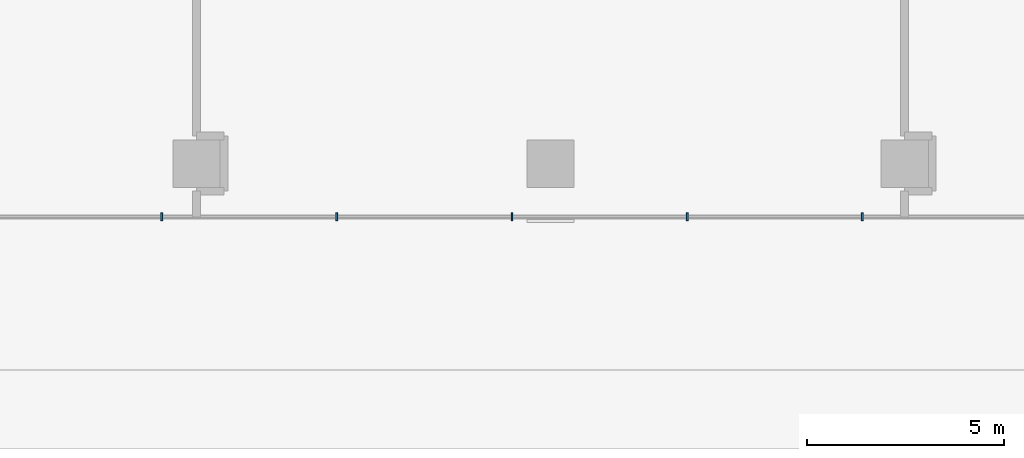
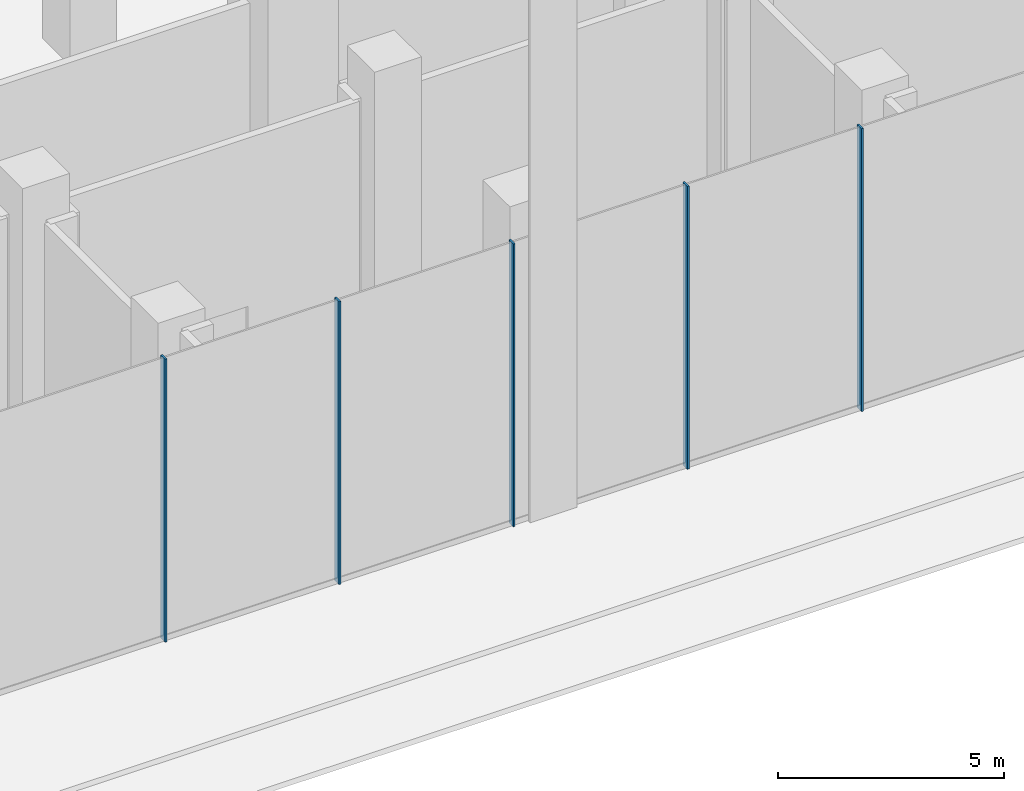
# One storey, part 4 of 42: 5 members, 1 element without a shape of its own.
"""IFC4 building model written with IfcOpenShell, lengths in metres."""

import ifcopenshell
import ifcopenshell.guid

model = None  # the IFC model being written
_history = None  # IfcOwnerHistory: only IFC2X3 demands one
_inside = {}  # id of a spatial element -> (the spatial element, [elements in it])
_under = {}  # id of a project, library or spatial element -> (it, [spatial elements below it])
_declared = {}  # id of a project -> (the project, [libraries it declares])
_typed = {}  # id of a type object -> (the type object, [elements of that type])
_made_of = {}  # id of a material, layer set ... -> (it, [elements and type objects made of it])


def new_model(schema):
    """Start an empty IFC model of exactly this schema.

    Asked for "IFC4X3", IfcOpenShell would pick the latest addendum, in which some entities
    have other attributes; the version numbers below select the first issue.
    IFC2X3 requires an IfcOwnerHistory on every rooted entity: one is made here for all.
    """
    global model, _history
    if schema == "IFC4X3":
        model = ifcopenshell.file(schema_version=(4, 3, 0, 0))
    else:
        model = ifcopenshell.file(schema=schema)
    _inside.clear()
    _under.clear()
    _declared.clear()
    _typed.clear()
    _made_of.clear()
    _history = None
    if model.schema == "IFC2X3":
        org = make("IfcOrganization", Name="unknown")
        user = make(
            "IfcPersonAndOrganization",
            ThePerson=make("IfcPerson", FamilyName="unknown"),
            TheOrganization=org,
        )
        app = make(
            "IfcApplication",
            ApplicationDeveloper=org,
            Version="unknown",
            ApplicationFullName="unknown",
            ApplicationIdentifier="unknown",
        )
        _history = make(
            "IfcOwnerHistory",
            OwningUser=user,
            OwningApplication=app,
            ChangeAction="ADDED",
            CreationDate=0,
        )
    return model


def make(cls, **values):
    """One entity of the class cls with the attributes given. An attribute that is None is left unset."""
    return model.create_entity(
        cls, **{name: value for name, value in values.items() if value is not None}
    )


def rooted(cls, **values):
    """An entity with a GlobalId (a new one), such as an element, a storey or a relation."""
    return make(cls, GlobalId=ifcopenshell.guid.new(), OwnerHistory=_history, **values)


def si_unit(unit_type, name, prefix=None):
    """IfcSIUnit, for example si_unit("LENGTHUNIT", "METRE", prefix="MILLI")."""
    return make("IfcSIUnit", UnitType=unit_type, Prefix=prefix, Name=name)


def assignment(units):
    """IfcUnitAssignment: the units of a project."""
    return None if units is None else make("IfcUnitAssignment", Units=units)


def point(xyz):
    """IfcCartesianPoint."""
    return None if xyz is None else make("IfcCartesianPoint", Coordinates=xyz)


def direction(xyz):
    """IfcDirection."""
    return None if xyz is None else make("IfcDirection", DirectionRatios=xyz)


def frame(location, z_axis=None, x_axis=None):
    """IfcAxis2Placement3D, a coordinate frame: its origin and axes. An axis left out is left unset."""
    return make(
        "IfcAxis2Placement3D",
        Location=point(location),
        Axis=direction(z_axis),
        RefDirection=direction(x_axis),
    )


def frame_2d(location, x_axis=None):
    """IfcAxis2Placement2D, a coordinate frame in the plane: its origin and x axis."""
    return make(
        "IfcAxis2Placement2D", Location=point(location), RefDirection=direction(x_axis)
    )


def origin():
    """The frame at (0, 0, 0) with its axes left unset."""
    return frame((0.0, 0.0, 0.0))


def origin_2d():
    """The frame at (0, 0) in the plane with its x axis left unset."""
    return frame_2d((0.0, 0.0))


def place(relative_to, where):
    """IfcLocalPlacement: puts the frame where relative to a parent placement (None: the world)."""
    return make(
        "IfcLocalPlacement", PlacementRelTo=relative_to, RelativePlacement=where
    )


def context(
    kind, dimensions, precision=None, world=None, true_north=None, identifier=None
):
    """IfcGeometricRepresentationContext, for example the 3D "Model" context."""
    return make(
        "IfcGeometricRepresentationContext",
        ContextIdentifier=identifier,
        ContextType=kind,
        CoordinateSpaceDimension=dimensions,
        Precision=precision,
        WorldCoordinateSystem=world,
        TrueNorth=true_north,
    )


def subcontext(parent, identifier, kind, view, scale=None):
    """IfcGeometricRepresentationSubContext, for example "Body" below "Model"."""
    return make(
        "IfcGeometricRepresentationSubContext",
        ContextIdentifier=identifier,
        ContextType=kind,
        ParentContext=parent,
        TargetScale=scale,
        TargetView=view,
    )


def project(units=None, contexts=None):
    """IfcProject with its units and contexts."""
    return rooted(
        "IfcProject",
        Name="project",
        RepresentationContexts=contexts,
        UnitsInContext=assignment(units),
    )


def spatial(cls, under=None, at=None, **own):
    """A site, building, storey or space (cls), placed at a placement, below another one or the project."""
    s = rooted(cls, ObjectPlacement=at, **own)
    if under is not None:
        _under.setdefault(under.id(), (under, []))[1].append(s)
    return s


def profile(cls, at=None, kind="AREA", **sizes):
    """A parametric profile (cls). Its sizes go by their IFC names, for example OverallWidth=200.0."""
    return make(cls, ProfileType=kind, Position=at, **sizes)


def rectangle(**sizes):
    """IfcRectangleProfileDef."""
    return profile("IfcRectangleProfileDef", **sizes)


def extrude(swept, where, along, depth):
    """IfcExtrudedAreaSolid: the profile swept, set in the frame where, extruded along a direction by depth."""
    return make(
        "IfcExtrudedAreaSolid",
        SweptArea=swept,
        Position=where,
        ExtrudedDirection=direction(along),
        Depth=depth,
    )


def shape(context_of_items, identifier, shape_type, items):
    """IfcShapeRepresentation: the items that make up one representation, for example the "Body"."""
    return make(
        "IfcShapeRepresentation",
        ContextOfItems=context_of_items,
        RepresentationIdentifier=identifier,
        RepresentationType=shape_type,
        Items=items,
    )


def material(Name=None, Category=None):
    """IfcMaterial."""
    return make("IfcMaterial", Name=Name, Category=Category)


def layer(
    of_material, thickness, ventilated=None, Name=None, Category=None, Priority=None
):
    """IfcMaterialLayer: one layer of a wall or slab, of a material (None: an air gap)."""
    return make(
        "IfcMaterialLayer",
        Material=of_material,
        LayerThickness=thickness,
        IsVentilated=ventilated,
        Name=Name,
        Category=Category,
        Priority=Priority,
    )


def layer_set(layers, Name=None):
    """IfcMaterialLayerSet."""
    return make("IfcMaterialLayerSet", MaterialLayers=layers, LayerSetName=Name)


def material_profile(
    of_material, cross_section, Name=None, Category=None, Priority=None
):
    """IfcMaterialProfile: a cross section and its material."""
    return make(
        "IfcMaterialProfile",
        Name=Name,
        Material=of_material,
        Profile=cross_section,
        Priority=Priority,
        Category=Category,
    )


def profile_set(profiles, Name=None, composite=None):
    """IfcMaterialProfileSet."""
    return make(
        "IfcMaterialProfileSet",
        Name=Name,
        MaterialProfiles=profiles,
        CompositeProfile=composite,
    )


def made_of(thing, what):
    """Note that an element or type object is made of a material, layer set ...; save() writes the relation."""
    if what is not None:
        _made_of.setdefault(what.id(), (what, []))[1].append(thing)
    return thing


def type_object(cls, material=None, **own):
    """A type object (cls), such as IfcWallType, which elements share."""
    return made_of(rooted(cls, **own), material)


def element(
    cls,
    number,
    at=None,
    inside=None,
    cuts=None,
    type_object=None,
    material=None,
    context=None,
    identifier="Body",
    shape_type=None,
    held_by="IfcProductDefinitionShape",
    body=None,
    shapes=None,
    **own,
):
    """One element of the class cls, such as IfcWall. Its Tag is "e" and its number.

    at: its placement. inside: the storey or other place that contains it. cuts: it is an
    opening in that element (IfcRelVoidsElement). A single representation is given by context,
    identifier, shape_type and body (its items); several are given by shapes. held_by: the class
    of the entity that holds the representations. save() writes the other relations.
    """
    e = rooted(cls, Tag="e%d" % number, ObjectPlacement=at, **own)
    if body is not None:
        shapes = [shape(context, identifier, shape_type, body)]
    if shapes is not None:
        e.Representation = make(held_by, Representations=shapes)
    if inside is not None:
        _inside.setdefault(inside.id(), (inside, []))[1].append(e)
    if cuts is not None:
        rooted(
            "IfcRelVoidsElement", RelatingBuildingElement=cuts, RelatedOpeningElement=e
        )
    if type_object is not None:
        _typed.setdefault(type_object.id(), (type_object, []))[1].append(e)
    return made_of(e, material)


def aggregate(whole, parts):
    """IfcRelAggregates: a whole, such as a stair, and the parts it consists of."""
    return rooted("IfcRelAggregates", RelatingObject=whole, RelatedObjects=parts)


def save(model, path):
    """Write the relations noted so far, then the file.

    IfcRelAggregates (storeys below a building ...), IfcRelContainedInSpatialStructure (elements
    in a storey), IfcRelDefinesByType, IfcRelAssociatesMaterial and IfcRelDeclares: one each for
    every whole, place, type object, material and project.
    """
    for whole, parts in _under.values():
        aggregate(whole, parts)
    for where, things in _inside.values():
        rooted(
            "IfcRelContainedInSpatialStructure",
            RelatedElements=things,
            RelatingStructure=where,
        )
    for kind, things in _typed.values():
        rooted("IfcRelDefinesByType", RelatedObjects=things, RelatingType=kind)
    for what, things in _made_of.values():
        rooted("IfcRelAssociatesMaterial", RelatedObjects=things, RelatingMaterial=what)
    for by, libraries in _declared.values():
        rooted("IfcRelDeclares", RelatingContext=by, RelatedDefinitions=libraries)
    model.write(path)


model = new_model("IFC4")

# Units and contexts
model_context = context("Model", 3, precision=1e-05, world=origin(), true_north=direction((0.0, 1.0)))
body_context = subcontext(model_context, "Body", "Model", "MODEL_VIEW")
ifc_project = project(units=[si_unit("LENGTHUNIT", "METRE"), si_unit("AREAUNIT", "SQUARE_METRE"), si_unit("VOLUMEUNIT", "CUBIC_METRE"), si_unit("PLANEANGLEUNIT", "RADIAN"), si_unit("MASSUNIT", "GRAM", prefix="KILO")], contexts=[model_context])

# Site, building, storey
site_placement = place(None, origin())
site = spatial("IfcSite", under=ifc_project, at=site_placement, CompositionType="ELEMENT")
building_placement = place(site_placement, origin())
building = spatial("IfcBuilding", under=site, at=building_placement, Name="Plateau Cross Towers", CompositionType="ELEMENT")
storey_placement = place(building_placement, origin())
storey = spatial("IfcBuildingStorey", under=building, at=storey_placement, Name="L00", CompositionType="ELEMENT", Elevation=0.0)

# Curtain wall, members
ifc_material_1 = material(Name="Dark low-iron laminated glass", Category="glass")
ifc_layer = layer(ifc_material_1, 0.300048828125)
ifc_layer_set = layer_set([ifc_layer], Name="Dark low-iron laminated glass")
curtain_wall_type = type_object("IfcCurtainWallType", Name="Curtain wall structural silicone CW-C", PredefinedType="NOTDEFINED", material=ifc_layer_set)
curtain_wall_placement = place(storey_placement, origin())
curtain_wall = element("IfcCurtainWall", 1, at=curtain_wall_placement, inside=storey, type_object=curtain_wall_type, Name="ENV/P/L00/P172_-118", PredefinedType="NOTDEFINED")
ifc_material_2 = material(Name="Black anodised aluminium", Category="aluminium")
ifc_material_profile = material_profile(ifc_material_2, rectangle(XDim=0.050048828125, YDim=0.199951171875, at=origin_2d()), Name="MULLION 50x200")
ifc_profile_set = profile_set([ifc_material_profile], Name="Black anodised aluminium")
member_type = type_object("IfcMemberType", Name="Mullion 50x200 structural silicone", PredefinedType="MULLION", material=ifc_profile_set)
member_1_placement = place(storey_placement, frame((26.11328125, -11.85009765625, 0.0), z_axis=(0.0, 0.0, 1.0), x_axis=(1.0, 0.0, 0.0)))
member_1 = element("IfcMember", 2, at=member_1_placement, type_object=member_type, Name="CW-C mullion 3", PredefinedType="MULLION", context=body_context, shape_type="SweptSolid", body=[
    extrude(rectangle(XDim=0.050048828125, YDim=0.199951171875, at=origin_2d()), origin(), (0.0, 0.0, 1.0), 7.64990234375),
])
member_2_placement = place(storey_placement, frame((30.566650390625, -11.85009765625, 0.0), z_axis=(0.0, 0.0, 1.0), x_axis=(1.0, 0.0, 0.0)))
member_2 = element("IfcMember", 3, at=member_2_placement, type_object=member_type, Name="CW-C mullion 4", PredefinedType="MULLION", context=body_context, shape_type="SweptSolid", body=[
    extrude(rectangle(XDim=0.050048828125, YDim=0.199951171875, at=origin_2d()), origin(), (0.0, 0.0, 1.0), 7.64990234375),
])
member_3_placement = place(storey_placement, frame((35.02001953125, -11.85009765625, 0.0), z_axis=(0.0, 0.0, 1.0), x_axis=(1.0, 0.0, 0.0)))
member_3 = element("IfcMember", 4, at=member_3_placement, type_object=member_type, Name="CW-C mullion 5", PredefinedType="MULLION", context=body_context, shape_type="SweptSolid", body=[
    extrude(rectangle(XDim=0.050048828125, YDim=0.199951171875, at=origin_2d()), origin(), (0.0, 0.0, 1.0), 7.64990234375),
])
member_4_placement = place(storey_placement, frame((39.473388671875, -11.85009765625, 0.0), z_axis=(0.0, 0.0, 1.0), x_axis=(1.0, 0.0, 0.0)))
member_4 = element("IfcMember", 5, at=member_4_placement, type_object=member_type, Name="CW-C mullion 6", PredefinedType="MULLION", context=body_context, shape_type="SweptSolid", body=[
    extrude(rectangle(XDim=0.050048828125, YDim=0.199951171875, at=origin_2d()), origin(), (0.0, 0.0, 1.0), 7.64990234375),
])
member_5_placement = place(storey_placement, frame((43.9267578125, -11.85009765625, 0.0), z_axis=(0.0, 0.0, 1.0), x_axis=(1.0, 0.0, 0.0)))
member_5 = element("IfcMember", 6, at=member_5_placement, type_object=member_type, Name="CW-C mullion 7", PredefinedType="MULLION", context=body_context, shape_type="SweptSolid", body=[
    extrude(rectangle(XDim=0.050048828125, YDim=0.199951171875, at=origin_2d()), origin(), (0.0, 0.0, 1.0), 7.64990234375),
])
aggregate(curtain_wall, [member_1, member_2, member_3, member_4, member_5])

save(model, "model.ifc")
